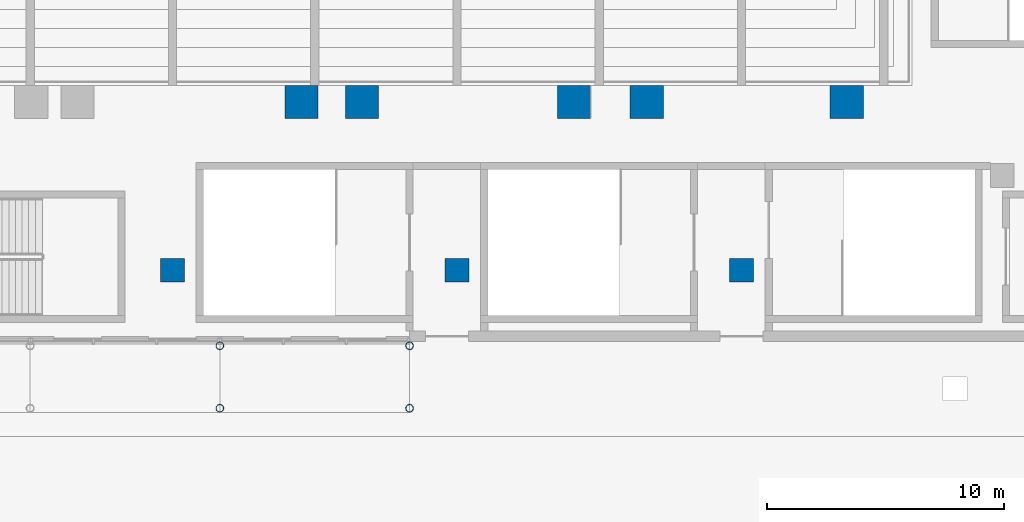
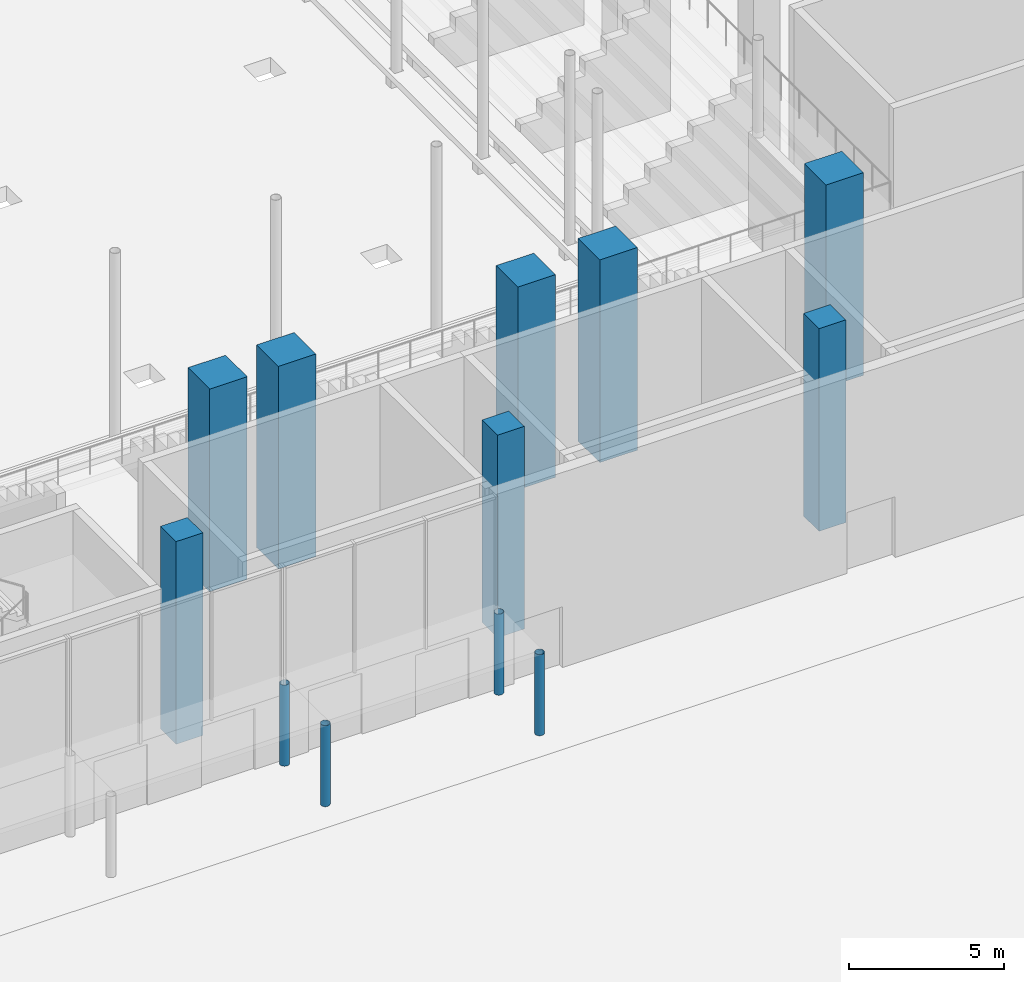
# One storey, part 7 of 41: 12 columns.
"""IFC4 building model written with IfcOpenShell, lengths in metres."""

from ifc_helpers import new_model, si_unit, direction, frame, origin, origin_2d, place, context, subcontext, project, spatial, rectangle, hollow_circle, extrude, material, material_profile, profile_set, type_object, element, save


model = new_model("IFC4")

# Units and contexts
model_context = context("Model", 3, precision=1e-05, world=origin(), true_north=direction((0.0, 1.0)))
body_context = subcontext(model_context, "Body", "Model", "MODEL_VIEW")
ifc_project = project(units=[si_unit("LENGTHUNIT", "METRE"), si_unit("AREAUNIT", "SQUARE_METRE"), si_unit("VOLUMEUNIT", "CUBIC_METRE"), si_unit("PLANEANGLEUNIT", "RADIAN"), si_unit("MASSUNIT", "GRAM", prefix="KILO")], contexts=[model_context])

# Site, building, storey
site_placement = place(None, origin())
site = spatial("IfcSite", under=ifc_project, at=site_placement, CompositionType="ELEMENT")
building_placement = place(site_placement, origin())
building = spatial("IfcBuilding", under=site, at=building_placement, Name="Wharfspan Tower", CompositionType="ELEMENT")
storey_placement = place(building_placement, origin())
storey = spatial("IfcBuildingStorey", under=building, at=storey_placement, Name="L00", CompositionType="ELEMENT", Elevation=0.0)

# Columns
ifc_material_1 = material(Name="Steel S355J2", Category="steel")
ifc_material_profile_1 = material_profile(ifc_material_1, hollow_circle(Radius=0.161865, WallThickness=0.01001, at=origin_2d()))
ifc_profile_set_1 = profile_set([ifc_material_profile_1], Name="Steel S355J2")
column_type_1 = type_object("IfcColumnType", Name="Canopy post CHS 323.9x10", PredefinedType="COLUMN", material=ifc_profile_set_1)
for number, where, z_axis, x_axis, name in (
    (1, (54.0, -34.818115, 0.0), (0.0, 0.0, 1.0), (1.0, 0.0, 0.0), "Canopy post"),
    (2, (62.0, -34.818115, 0.0), (0.0, 0.0, 1.0), (1.0, 0.0, 0.0), "Canopy post"),
    (3, (54.0, -32.181885, 0.0), (0.0, 0.0, 1.0), (1.0, 0.0, 0.0), "Canopy post"),
    (4, (62.0, -32.181885, 0.0), (0.0, 0.0, 1.0), (1.0, 0.0, 0.0), "Canopy post"),
):
    element("IfcColumn", number, at=place(storey_placement, frame(where, z_axis=z_axis, x_axis=x_axis)), inside=storey, type_object=column_type_1, Name=name, PredefinedType="COLUMN", context=body_context, shape_type="SweptSolid", body=[
        extrude(hollow_circle(Radius=0.161865, WallThickness=0.01001, at=origin_2d()), origin(), (0.0, 0.0, 1.0), 3.199951),
    ])
ifc_material_2 = material(Name="Concrete C60/75", Category="concrete")
ifc_material_profile_2 = material_profile(ifc_material_2, rectangle(XDim=1.0, YDim=1.0, at=origin_2d()))
ifc_profile_set_2 = profile_set([ifc_material_profile_2], Name="Concrete C60/75")
column_type_2 = type_object("IfcColumnType", Name="Concrete column 1000 square", PredefinedType="COLUMN", material=ifc_profile_set_2)
for number, where, z_axis, x_axis, name in (
    (5, (52.0, -29.0, 0.0), (0.0, 0.0, 1.0), (1.0, 0.0, 0.0), "Column D.26"),
    (6, (64.0, -29.0, 0.0), (0.0, 0.0, 1.0), (1.0, 0.0, 0.0), "Column D.30"),
    (7, (76.0, -29.0, 0.0), (0.0, 0.0, 1.0), (1.0, 0.0, 0.0), "Column D.31"),
):
    element("IfcColumn", number, at=place(storey_placement, frame(where, z_axis=z_axis, x_axis=x_axis)), inside=storey, type_object=column_type_2, Name=name, PredefinedType="COLUMN", context=body_context, shape_type="SweptSolid", body=[
        extrude(rectangle(XDim=1.0, YDim=1.0, at=origin_2d()), origin(), (0.0, 0.0, 1.0), 8.0),
    ])
ifc_material_profile_3 = material_profile(ifc_material_2, rectangle(XDim=1.399902, YDim=1.399902, at=origin_2d()))
ifc_profile_set_3 = profile_set([ifc_material_profile_3], Name="Concrete C60/75")
column_type_3 = type_object("IfcColumnType", Name="Concrete column 1400 square", PredefinedType="COLUMN", material=ifc_profile_set_3)
for number, where, z_axis, x_axis, name in (
    (8, (57.441895, -21.899902, 0.0), (0.0, 0.0, 1.0), (1.0, 0.0, 0.0), "Column RS.8"),
    (9, (60.0, -21.899902, 0.0), (0.0, 0.0, 1.0), (1.0, 0.0, 0.0), "Column RS.9"),
    (10, (68.941895, -21.899902, 0.0), (0.0, 0.0, 1.0), (1.0, 0.0, 0.0), "Column RS.10"),
    (11, (72.0, -21.899902, 0.0), (0.0, 0.0, 1.0), (1.0, 0.0, 0.0), "Column RS.11"),
    (12, (80.441895, -21.899902, 0.0), (0.0, 0.0, 1.0), (1.0, 0.0, 0.0), "Column RS.12"),
):
    element("IfcColumn", number, at=place(storey_placement, frame(where, z_axis=z_axis, x_axis=x_axis)), inside=storey, type_object=column_type_3, Name=name, PredefinedType="COLUMN", context=body_context, shape_type="SweptSolid", body=[
        extrude(rectangle(XDim=1.399902, YDim=1.399902, at=origin_2d()), origin(), (0.0, 0.0, 1.0), 8.0),
    ])

save(model, "model.ifc")
